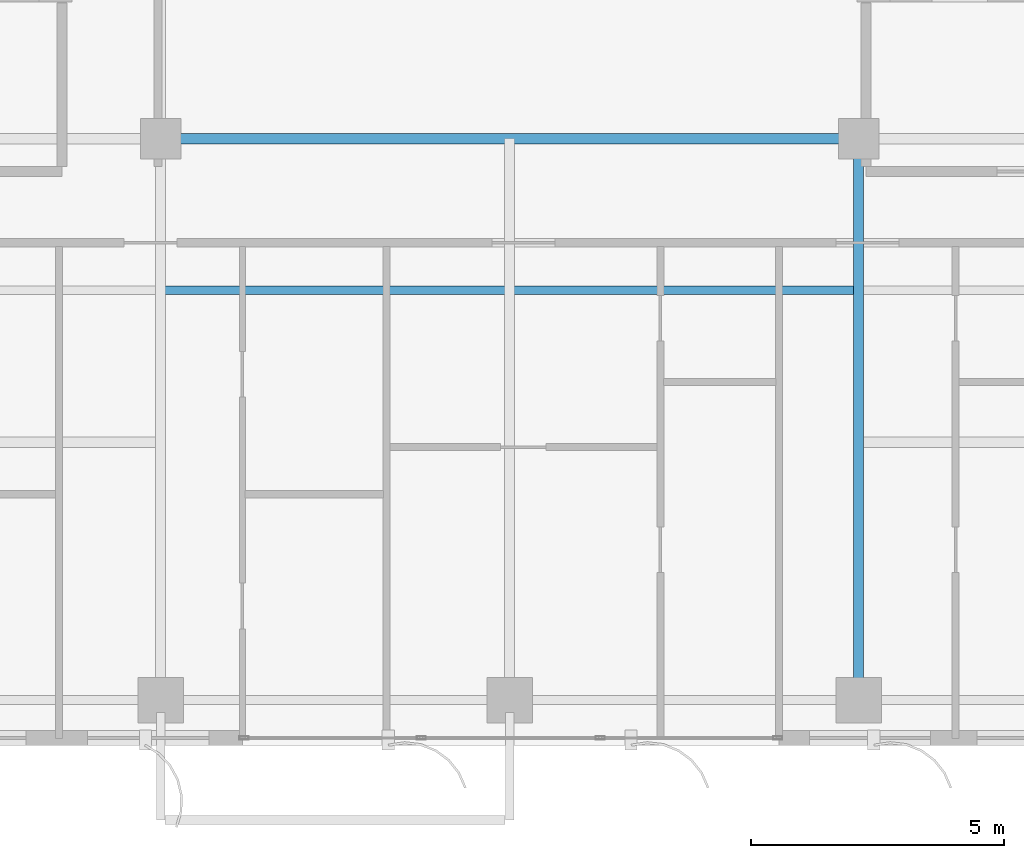
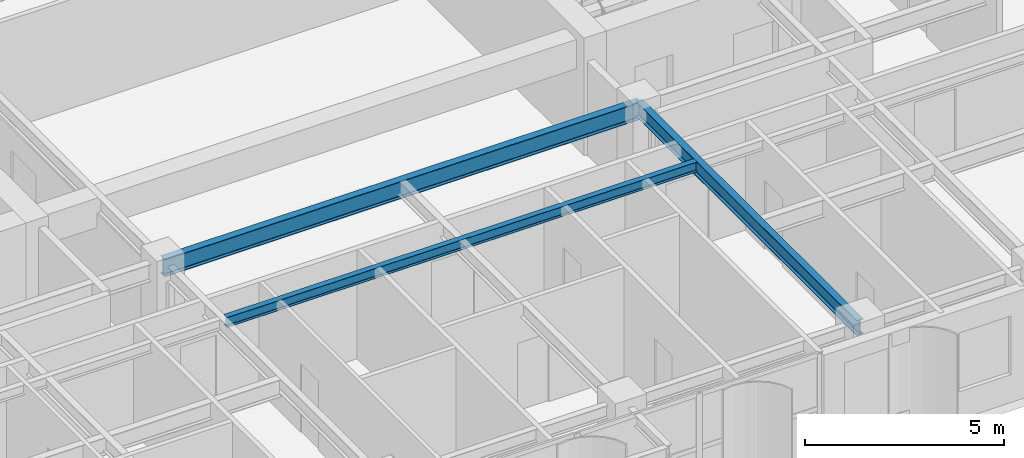
# One storey, part 4 of 23: 3 beams.
"""IFC4 building model written with IfcOpenShell, lengths in metres."""

from ifc_helpers import new_model, si_unit, direction, frame, origin, origin_2d, place, context, subcontext, project, spatial, i_section, extrude, source, transform, mapped, material, material_profile, profile_set, type_object, element, save


model = new_model("IFC4")

# Units and contexts
model_context = context("Model", 3, precision=1e-05, world=origin(), true_north=direction((0.0, 1.0)))
body_context = subcontext(model_context, "Body", "Model", "MODEL_VIEW")
ifc_project = project(units=[si_unit("LENGTHUNIT", "METRE"), si_unit("AREAUNIT", "SQUARE_METRE"), si_unit("VOLUMEUNIT", "CUBIC_METRE"), si_unit("PLANEANGLEUNIT", "RADIAN"), si_unit("MASSUNIT", "GRAM", prefix="KILO")], contexts=[model_context])

# Site, building, storey
site_placement = place(None, origin())
site = spatial("IfcSite", under=ifc_project, at=site_placement, CompositionType="ELEMENT")
building_placement = place(site_placement, origin())
building = spatial("IfcBuilding", under=site, at=building_placement, Name="Khoralis Quay Care Tower", CompositionType="ELEMENT")
storey_placement = place(building_placement, frame((0.0, 0.0, 173.699951171875)))
storey = spatial("IfcBuildingStorey", under=building, at=storey_placement, Name="L45", CompositionType="ELEMENT", Elevation=173.699951171875)

# Beams
ifc_material = material(Name="Steel S355", Category="steel")
ifc_material_profile_1 = material_profile(ifc_material, i_section(OverallWidth=0.208984375, OverallDepth=0.532958984375, WebThickness=0.01025390625, FlangeThickness=0.015625, FilletRadius=0.01611328125, at=origin_2d()), Name="Steel S355")
ifc_profile_set_1 = profile_set([ifc_material_profile_1], Name="Steel S355")
beam_type_1 = type_object("IfcBeamType", Name="BM-W530X92", PredefinedType="BEAM", material=ifc_profile_set_1)
shared_shape_1 = source(origin(), body_context, "Body", "SweptSolid", [
    extrude(i_section(OverallWidth=0.208984375, OverallDepth=0.532958984375, WebThickness=0.01025390625, FlangeThickness=0.015625, FilletRadius=0.01611328125, at=origin_2d()), origin(), (0.0, 0.0, 1.0), 13.7998046875),
])
beam_1_placement = place(storey_placement, frame((17.10009765625, 12.0, 3.073486328125), z_axis=(1.0, 0.0, 0.0), x_axis=(0.0, 1.0, 0.0)))
element("IfcBeam", 1, at=beam_1_placement, inside=storey, type_object=beam_type_1, Name="BM-TGCC-L45-120", PredefinedType="BEAM", context=body_context, shape_type="MappedRepresentation", body=[
    mapped(shared_shape_1, transform((0.0, 0.0, 0.0), scale=1.0)),
])
ifc_material_profile_2 = material_profile(ifc_material, i_section(OverallWidth=0.19189453125, OverallDepth=0.462890625, WebThickness=0.010498046875, FlangeThickness=0.017578125, FilletRadius=0.014892578125, at=origin_2d()), Name="Steel S355")
ifc_profile_set_2 = profile_set([ifc_material_profile_2], Name="Steel S355")
beam_type_2 = type_object("IfcBeamType", Name="BM-W460X89", PredefinedType="BEAM", material=ifc_profile_set_2)
shared_shape_2 = source(origin(), body_context, "Body", "SweptSolid", [
    extrude(i_section(OverallWidth=0.19189453125, OverallDepth=0.462890625, WebThickness=0.010498046875, FlangeThickness=0.017578125, FilletRadius=0.014892578125, at=origin_2d()), origin(), (0.0, 0.0, 1.0), 11.10009765625),
])
beam_2_placement = place(storey_placement, frame((30.89990234375, 0.89990234375, 3.108642578125), z_axis=(0.0, 1.0, 0.0), x_axis=(-1.0, 0.0, 0.0)))
element("IfcBeam", 2, at=beam_2_placement, inside=storey, type_object=beam_type_2, Name="BM-TGYS-L45-309", PredefinedType="BEAM", context=body_context, shape_type="MappedRepresentation", body=[
    mapped(shared_shape_2, transform((0.0, 0.0, 0.0), scale=1.0)),
])
ifc_material_profile_3 = material_profile(ifc_material, i_section(OverallWidth=0.1650390625, OverallDepth=0.31005859375, WebThickness=0.005859375, FlangeThickness=0.009765625, FilletRadius=0.011962890625, at=origin_2d()), Name="Steel S355")
ifc_profile_set_3 = profile_set([ifc_material_profile_3], Name="Steel S355")
beam_type_3 = type_object("IfcBeamType", Name="BM-W310X39", PredefinedType="JOIST", material=ifc_profile_set_3)
shared_shape_3 = source(origin(), body_context, "Body", "SweptSolid", [
    extrude(i_section(OverallWidth=0.1650390625, OverallDepth=0.31005859375, WebThickness=0.005859375, FlangeThickness=0.009765625, FilletRadius=0.011962890625, at=origin_2d()), origin(), (0.0, 0.0, 1.0), 13.6318359375),
])
beam_3_placement = place(storey_placement, frame((17.18408203125, 9.0, 3.18505859375), z_axis=(1.0, 0.0, 0.0), x_axis=(0.0, 1.0, 0.0)))
element("IfcBeam", 3, at=beam_3_placement, inside=storey, type_object=beam_type_3, Name="BM-TJS-L45-25", PredefinedType="JOIST", context=body_context, shape_type="MappedRepresentation", body=[
    mapped(shared_shape_3, transform((0.0, 0.0, 0.0), scale=1.0)),
])

save(model, "model.ifc")
